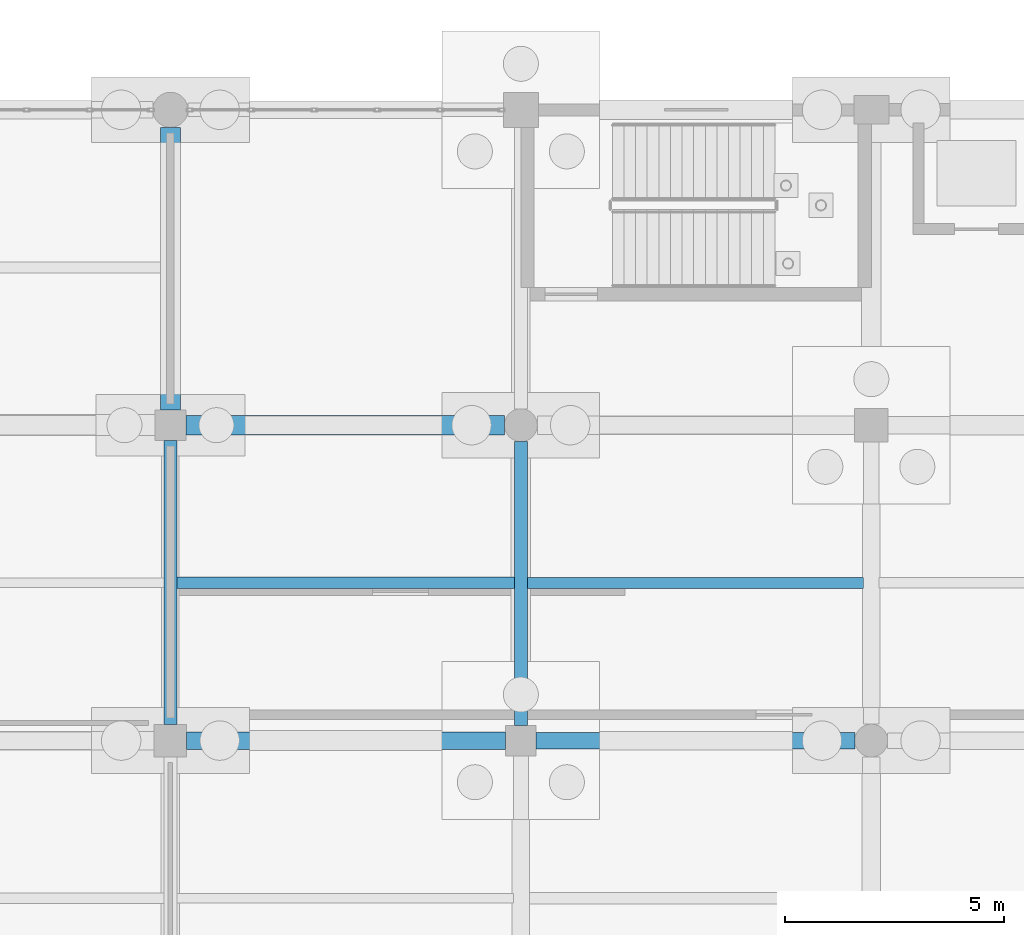
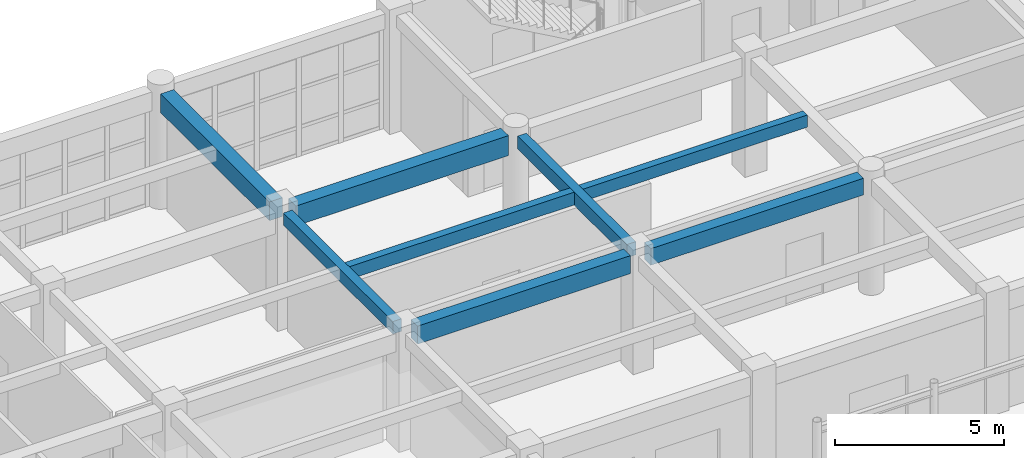
# One storey, part 63 of 166: 8 beams.
"""IFC4 building model written with IfcOpenShell, lengths in metres."""

from ifc_helpers import new_model, si_unit, direction, frame, origin, origin_2d, place, context, subcontext, project, spatial, rectangle, extrude, material, material_profile, profile_set, type_object, element, save


model = new_model("IFC4")

# Units and contexts
model_context = context("Model", 3, precision=1e-05, world=origin(), true_north=direction((0.0, 1.0)))
body_context = subcontext(model_context, "Body", "Model", "MODEL_VIEW")
ifc_project = project(units=[si_unit("LENGTHUNIT", "METRE"), si_unit("AREAUNIT", "SQUARE_METRE"), si_unit("VOLUMEUNIT", "CUBIC_METRE"), si_unit("PLANEANGLEUNIT", "RADIAN"), si_unit("MASSUNIT", "GRAM", prefix="KILO")], contexts=[model_context])

# Site, building, storey
site_placement = place(None, origin())
site = spatial("IfcSite", under=ifc_project, at=site_placement, CompositionType="ELEMENT")
building_placement = place(site_placement, origin())
building = spatial("IfcBuilding", under=site, at=building_placement, Name="Kharva Crest Polytechnic", CompositionType="ELEMENT")
storey_placement = place(building_placement, origin())
storey = spatial("IfcBuildingStorey", under=building, at=storey_placement, Name="L00", CompositionType="ELEMENT", Elevation=0.0)

# Beams
ifc_material = material(Name="Concrete C35/45", Category="concrete")
ifc_material_profile_1 = material_profile(ifc_material, rectangle(XDim=0.300048828125, YDim=0.449951171875, at=origin_2d()), Name="RECT 300 X 450")
ifc_profile_set_1 = profile_set([ifc_material_profile_1], Name="Concrete C35/45")
beam_type_1 = type_object("IfcBeamType", Name="BM-RC-300X450", PredefinedType="BEAM", material=ifc_profile_set_1)
beam_1_placement = place(storey_placement, frame((48.0, 107.969970703125, 3.9951171875), z_axis=(0.0, 1.0, 0.0), x_axis=(-1.0, 0.0, 0.0)))
element("IfcBeam", 1, at=beam_1_placement, inside=storey, type_object=beam_type_1, Name="L00 Girder 7/Q-R", PredefinedType="BEAM", context=body_context, shape_type="SweptSolid", body=[
    extrude(rectangle(XDim=0.300048828125, YDim=0.449951171875, at=origin_2d()), origin(), (0.0, 0.0, 1.0), 6.47998046875),
])
ifc_material_profile_2 = material_profile(ifc_material, rectangle(XDim=0.300048828125, YDim=0.47998046875, at=origin_2d()), Name="RECT 300 X 480")
ifc_profile_set_2 = profile_set([ifc_material_profile_2], Name="Concrete C35/45")
beam_type_2 = type_object("IfcBeamType", Name="BM-RC-300X480", PredefinedType="BEAM", material=ifc_profile_set_2)
beam_2_placement = place(storey_placement, frame((56.0, 107.949951171875, 3.97998046875), z_axis=(0.0, 1.0, 0.0), x_axis=(-1.0, 0.0, 0.0)))
element("IfcBeam", 2, at=beam_2_placement, inside=storey, type_object=beam_type_2, Name="L00 Girder 8/Q-R", PredefinedType="BEAM", context=body_context, shape_type="SweptSolid", body=[
    extrude(rectangle(XDim=0.300048828125, YDim=0.47998046875, at=origin_2d()), origin(), (0.0, 0.0, 1.0), 6.47509765625),
])
ifc_material_profile_3 = material_profile(ifc_material, rectangle(XDim=0.3798828125, YDim=0.60009765625, at=origin_2d()), Name="RECT 380 X 600")
ifc_profile_set_3 = profile_set([ifc_material_profile_3], Name="Concrete C35/45")
beam_type_3 = type_object("IfcBeamType", Name="BM-RC-380X600", PredefinedType="BEAM", material=ifc_profile_set_3)
beam_3_placement = place(storey_placement, frame((56.35009765625, 107.60009765625, 3.919921875), z_axis=(1.0, 0.0, 0.0), x_axis=(0.0, 1.0, 0.0)))
element("IfcBeam", 3, at=beam_3_placement, inside=storey, type_object=beam_type_3, Name="L00 Beam Q/8-9", PredefinedType="BEAM", context=body_context, shape_type="SweptSolid", body=[
    extrude(rectangle(XDim=0.3798828125, YDim=0.60009765625, at=origin_2d()), origin(), (0.0, 0.0, 1.0), 7.27490234375),
])
ifc_material_profile_4 = material_profile(ifc_material, rectangle(XDim=0.39990234375, YDim=0.64990234375, at=origin_2d()), Name="RECT 400 X 650")
ifc_profile_set_4 = profile_set([ifc_material_profile_4], Name="Concrete C35/45")
beam_type_4 = type_object("IfcBeamType", Name="BM-RC-400X650", PredefinedType="BEAM", material=ifc_profile_set_4)
beam_4_placement = place(storey_placement, frame((48.3701171875, 107.60009765625, 3.89501953125), z_axis=(1.0, 0.0, 0.0), x_axis=(0.0, 1.0, 0.0)))
element("IfcBeam", 4, at=beam_4_placement, inside=storey, type_object=beam_type_4, Name="L00 Beam Q/7-8", PredefinedType="BEAM", context=body_context, shape_type="SweptSolid", body=[
    extrude(rectangle(XDim=0.39990234375, YDim=0.64990234375, at=origin_2d()), origin(), (0.0, 0.0, 1.0), 7.27978515625),
])
ifc_material_profile_5 = material_profile(ifc_material, rectangle(XDim=0.449951171875, YDim=0.679931640625, at=origin_2d()), Name="RECT 450 X 680")
ifc_profile_set_5 = profile_set([ifc_material_profile_5], Name="Concrete C35/45")
beam_type_5 = type_object("IfcBeamType", Name="BM-RC-450X680", PredefinedType="BEAM", material=ifc_profile_set_5)
beam_5_placement = place(storey_placement, frame((48.0, 115.14990234375, 3.8798828125), z_axis=(0.0, 1.0, 0.0), x_axis=(-1.0, 0.0, 0.0)))
element("IfcBeam", 5, at=beam_5_placement, inside=storey, type_object=beam_type_5, Name="L00 Girder 7/R-S", PredefinedType="BEAM", context=body_context, shape_type="SweptSolid", body=[
    extrude(rectangle(XDim=0.449951171875, YDim=0.679931640625, at=origin_2d()), origin(), (0.0, 0.0, 1.0), 6.4501953125),
])
ifc_material_profile_6 = material_profile(ifc_material, rectangle(XDim=0.449951171875, YDim=0.719970703125, at=origin_2d()), Name="RECT 450 X 720")
ifc_profile_set_6 = profile_set([ifc_material_profile_6], Name="Concrete C35/45")
beam_type_6 = type_object("IfcBeamType", Name="BM-RC-450X720", PredefinedType="BEAM", material=ifc_profile_set_6)
beam_6_placement = place(storey_placement, frame((48.35009765625, 114.800048828125, 3.860107421875), z_axis=(1.0, 0.0, 0.0), x_axis=(0.0, 1.0, 0.0)))
element("IfcBeam", 6, at=beam_6_placement, inside=storey, type_object=beam_type_6, Name="L00 Beam R/7-8", PredefinedType="BEAM", context=body_context, shape_type="SweptSolid", body=[
    extrude(rectangle(XDim=0.449951171875, YDim=0.719970703125, at=origin_2d()), origin(), (0.0, 0.0, 1.0), 7.27490234375),
])
ifc_material_profile_7 = material_profile(ifc_material, rectangle(XDim=0.25, YDim=0.43994140625, at=origin_2d()), Name="RECT 250 X 440")
ifc_profile_set_7 = profile_set([ifc_material_profile_7], Name="Concrete C35/45")
beam_type_7 = type_object("IfcBeamType", Name="JS-RC-250X440", PredefinedType="JOIST", material=ifc_profile_set_7)
beam_7_placement = place(storey_placement, frame((56.14990234375, 111.199951171875, 4.0), z_axis=(1.0, 0.0, 0.0), x_axis=(0.0, 1.0, 0.0)))
element("IfcBeam", 7, at=beam_7_placement, inside=storey, type_object=beam_type_7, Name="L00 Floor Joist 28", PredefinedType="JOIST", context=body_context, shape_type="SweptSolid", body=[
    extrude(rectangle(XDim=0.25, YDim=0.43994140625, at=origin_2d()), origin(), (0.0, 0.0, 1.0), 7.670166015625),
])
ifc_material_profile_8 = material_profile(ifc_material, rectangle(XDim=0.260009765625, YDim=0.4599609375, at=origin_2d()), Name="RECT 260 X 460")
ifc_profile_set_8 = profile_set([ifc_material_profile_8], Name="Concrete C35/45")
beam_type_8 = type_object("IfcBeamType", Name="JS-RC-260X460", PredefinedType="JOIST", material=ifc_profile_set_8)
beam_8_placement = place(storey_placement, frame((48.14990234375, 111.199951171875, 3.989990234375), z_axis=(1.0, 0.0, 0.0), x_axis=(0.0, 1.0, 0.0)))
element("IfcBeam", 8, at=beam_8_placement, inside=storey, type_object=beam_type_8, Name="L00 Floor Joist 27", PredefinedType="JOIST", context=body_context, shape_type="SweptSolid", body=[
    extrude(rectangle(XDim=0.260009765625, YDim=0.4599609375, at=origin_2d()), origin(), (0.0, 0.0, 1.0), 7.7001953125),
])

save(model, "model.ifc")
